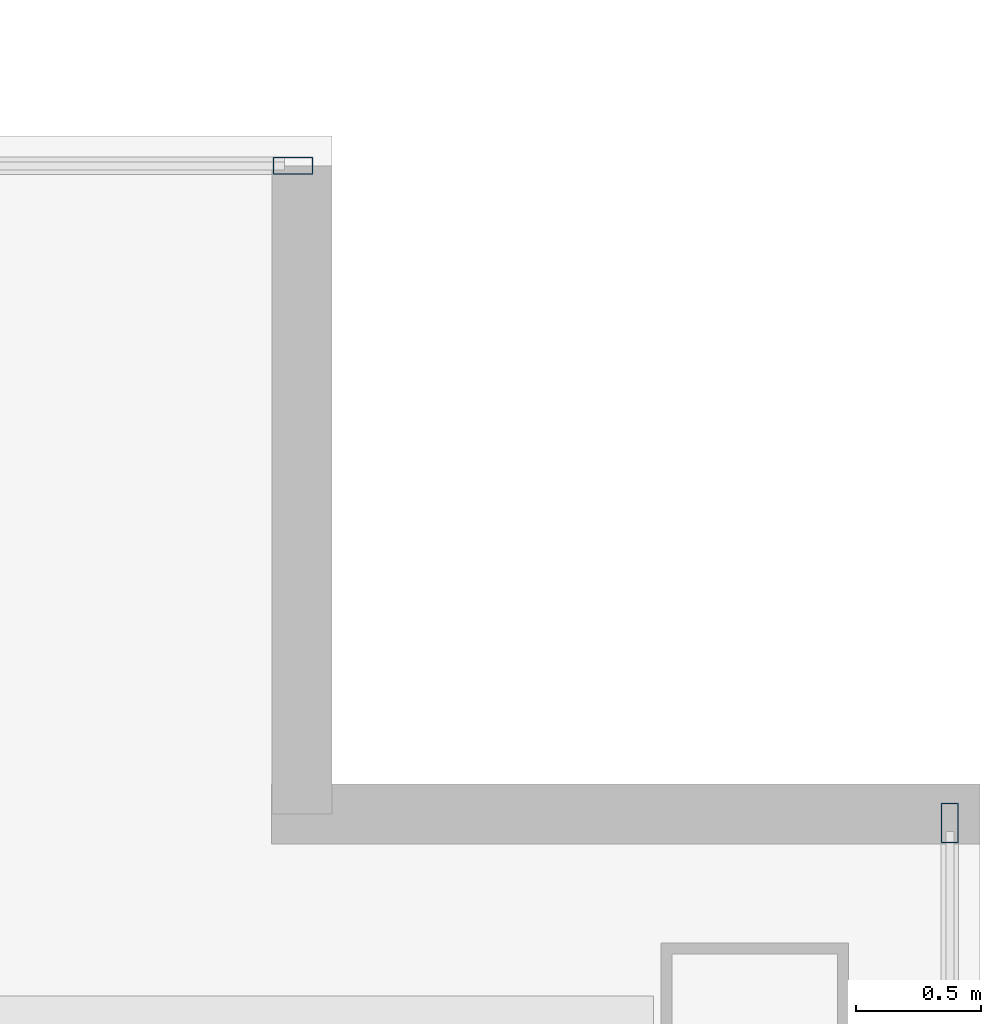
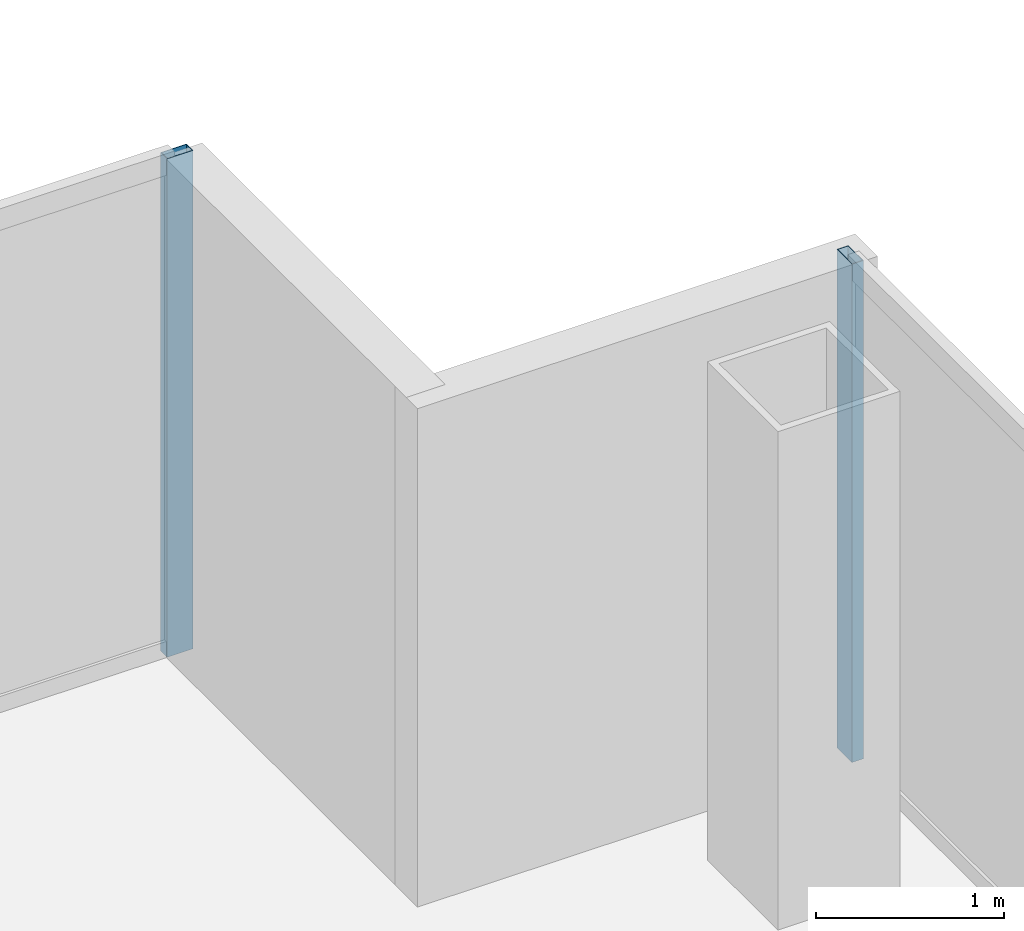
# One storey, part 16 of 23: 2 members, 2 elements without a shape of their own.
"""IFC4 building model written with IfcOpenShell, lengths in metres."""

from ifc_helpers import new_model, si_unit, direction, frame, origin, origin_2d, place, context, subcontext, project, spatial, hollow_rectangle, extrude, material, material_profile, profile_set, type_object, element, aggregate, save


model = new_model("IFC4")

# Units and contexts
model_context = context("Model", 3, precision=1e-05, world=origin(), true_north=direction((0.0, 1.0)))
body_context = subcontext(model_context, "Body", "Model", "MODEL_VIEW")
ifc_project = project(units=[si_unit("LENGTHUNIT", "METRE"), si_unit("AREAUNIT", "SQUARE_METRE"), si_unit("VOLUMEUNIT", "CUBIC_METRE"), si_unit("PLANEANGLEUNIT", "RADIAN"), si_unit("MASSUNIT", "GRAM", prefix="KILO")], contexts=[model_context])

# Site, building, storey
site_placement = place(None, origin())
site = spatial("IfcSite", under=ifc_project, at=site_placement, CompositionType="ELEMENT")
building_placement = place(site_placement, origin())
building = spatial("IfcBuilding", under=site, at=building_placement, Name="Cobrela Telecom Tower", CompositionType="ELEMENT")
storey_placement = place(building_placement, frame((0.0, 0.0, 201.25)))
storey = spatial("IfcBuildingStorey", under=building, at=storey_placement, Name="L51", CompositionType="ELEMENT", Elevation=201.25)

# Curtain wall, member
ifc_material = material(Name="Anodized Bronze Aluminium 6063-T6", Category="aluminium")
curtain_wall_type = type_object("IfcCurtainWallType", Name="CW-SYS-OFF-LO", PredefinedType="USERDEFINED", material=ifc_material)
curtain_wall_1_placement = place(storey_placement, origin())
curtain_wall_1 = element("IfcCurtainWall", 1, at=curtain_wall_1_placement, inside=storey, type_object=curtain_wall_type, Name="L51 Unitised Bronze Curtain Wall 11", ObjectType="UNITISED CURTAIN WALL", PredefinedType="USERDEFINED")
ifc_material_profile = material_profile(ifc_material, hollow_rectangle(XDim=0.070068359375, YDim=0.159912109375, WallThickness=0.00390625, at=origin_2d()), Name="ALU 70x160x4")
ifc_profile_set = profile_set([ifc_material_profile], Name="Anodized Bronze Aluminium 6063-T6")
member_type = type_object("IfcMemberType", Name="CW-SYS-OFF-LO-MUL", PredefinedType="MULLION", material=ifc_profile_set)
member_1_placement = place(storey_placement, frame((41.2548828125, 25.080078125, 0.0), z_axis=(0.0, 0.0, 1.0), x_axis=(0.0, 1.0, 0.0)))
member_1 = element("IfcMember", 2, at=member_1_placement, type_object=member_type, Name="CW-OFF-LO mullion 3", PredefinedType="MULLION", context=body_context, shape_type="SweptSolid", body=[
    extrude(hollow_rectangle(XDim=0.070068359375, YDim=0.159912109375, WallThickness=0.00390625, at=origin_2d()), origin(), (0.0, 0.0, 1.0), 3.239990234375),
])
aggregate(curtain_wall_1, [member_1])

curtain_wall_2_placement = place(storey_placement, origin())
curtain_wall_2 = element("IfcCurtainWall", 3, at=curtain_wall_2_placement, inside=storey, type_object=curtain_wall_type, Name="L51 Unitised Bronze Curtain Wall 14", ObjectType="UNITISED CURTAIN WALL", PredefinedType="USERDEFINED")
member_2_placement = place(storey_placement, frame((43.8798828125, 22.455078125, 0.0), z_axis=(0.0, 0.0, 1.0), x_axis=(1.0, 0.0, 0.0)))
member_2 = element("IfcMember", 4, at=member_2_placement, type_object=member_type, Name="CW-OFF-LO mullion 1", PredefinedType="MULLION", context=body_context, shape_type="SweptSolid", body=[
    extrude(hollow_rectangle(XDim=0.070068359375, YDim=0.159912109375, WallThickness=0.00390625, at=origin_2d()), origin(), (0.0, 0.0, 1.0), 3.239990234375),
])
aggregate(curtain_wall_2, [member_2])

save(model, "model.ifc")
